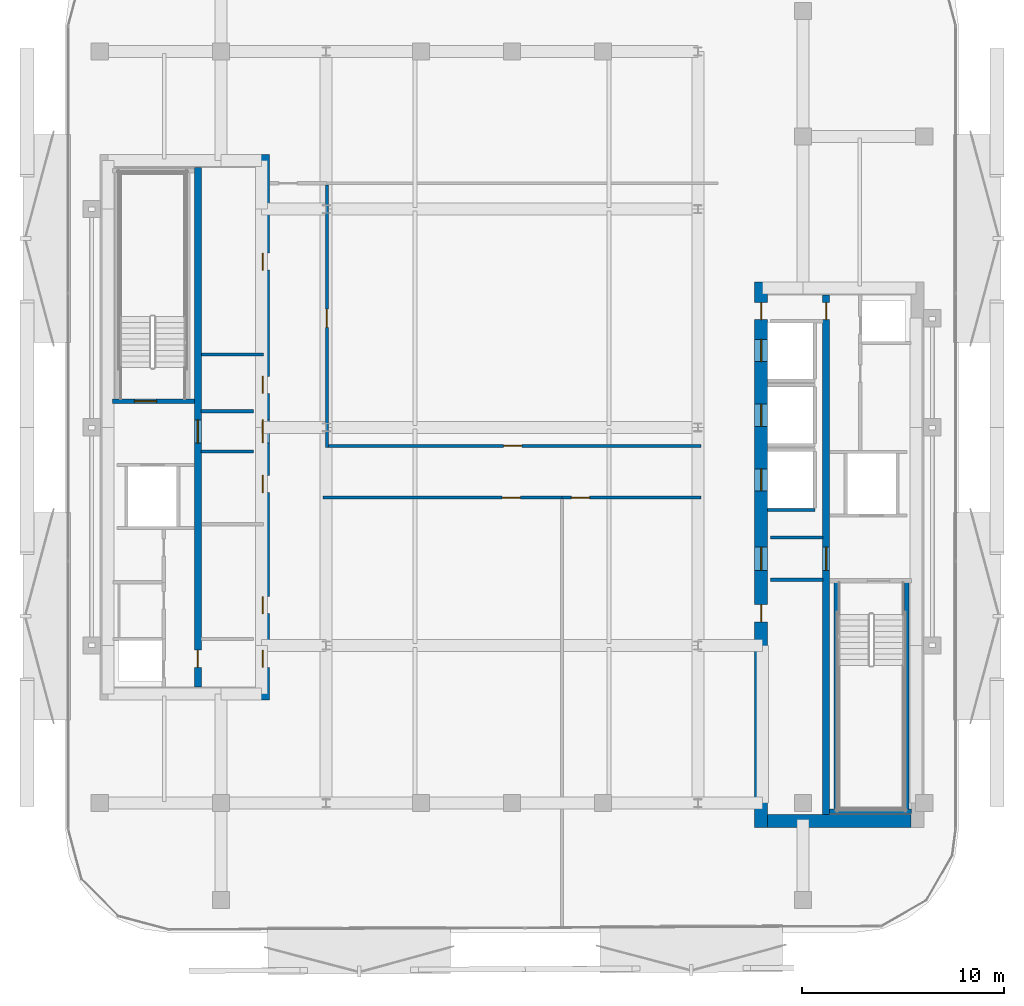
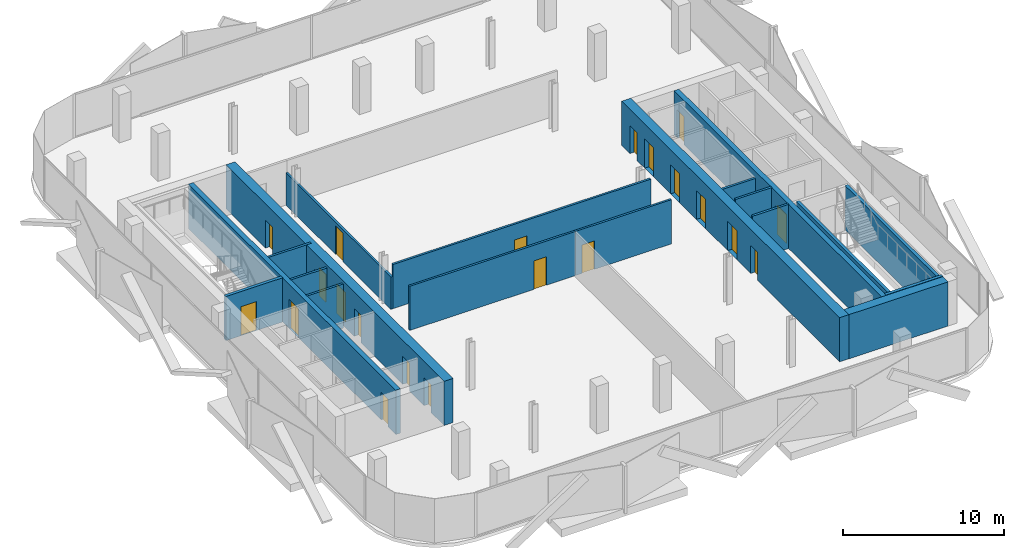
# One storey, part 3 of 11: 21 doors, 19 walls, 21 openings.
"""IFC4 building model written with IfcOpenShell, lengths in metres."""

from ifc_helpers import new_model, si_unit, direction, frame, frame_2d, origin, place, context, subcontext, project, spatial, rectangle, extrude, material, layer, layer_set, type_object, element, fill, save


model = new_model("IFC4")

# Units and contexts
model_context = context("Model", 3, precision=1e-05, world=origin(), true_north=direction((0.0, 1.0)))
body_context = subcontext(model_context, "Body", "Model", "MODEL_VIEW")
ifc_project = project(units=[si_unit("LENGTHUNIT", "METRE"), si_unit("AREAUNIT", "SQUARE_METRE"), si_unit("VOLUMEUNIT", "CUBIC_METRE"), si_unit("PLANEANGLEUNIT", "RADIAN"), si_unit("MASSUNIT", "GRAM", prefix="KILO")], contexts=[model_context])

# Site, building, storey
site_placement = place(None, origin())
site = spatial("IfcSite", under=ifc_project, at=site_placement, CompositionType="ELEMENT")
building_placement = place(site_placement, origin())
building = spatial("IfcBuilding", under=site, at=building_placement, Name="Khairoan Windgate Tower", CompositionType="ELEMENT")
storey_placement = place(building_placement, frame((0.0, 0.0, 222.39990234375)))
storey = spatial("IfcBuildingStorey", under=building, at=storey_placement, Name="L51", CompositionType="ELEMENT", Elevation=222.39990234375)

# Walls
ifc_material_1 = material(Name="Concrete C40/50", Category="concrete")
ifc_layer_1 = layer(ifc_material_1, 0.159912109375, Name="Concrete C40/50")
ifc_layer_set_1 = layer_set([ifc_layer_1], Name="Concrete C40/50")
wall_type_1 = type_object("IfcWallType", Name="Core and Hoistway Enclosure Wall", PredefinedType="STANDARD", material=ifc_layer_set_1)
wall_1_placement = place(storey_placement, frame((12.64990234375, -4.090087890625, 0.0), z_axis=(0.0, 0.0, 1.0), x_axis=(1.0, 0.0, 0.0)))
element("IfcWall", 1, at=wall_1_placement, inside=storey, type_object=wall_type_1, Name="L51 Lift PL9 Hoistway Divider S", PredefinedType="STANDARD", context=body_context, shape_type="SweptSolid", body=[
    extrude(rectangle(XDim=2.340087890625, YDim=0.159912109375, at=frame_2d((1.169921875, 0.0))), origin(), (0.0, 0.0, 1.0), 3.340087890625),
])
for number, where, z_axis, x_axis, name in (
    (2, (-15.39990234375, 0.800048828125, 0.0), (0.0, 0.0, 1.0), (1.0, 0.0, 0.0), "L51 Core Shaft Wall SW-WV1-L51"),
    (3, (-15.39990234375, -1.199951171875, 0.0), (0.0, 0.0, 1.0), (1.0, 0.0, 0.0), "L51 Core Shaft Wall SW-WV2-L51"),
    (4, (12.800048828125, -5.449951171875, 0.0), (0.0, 0.0, 1.0), (1.0, 0.0, 0.0), "L51 Core Shaft Wall SW-EV1-L51"),
    (5, (12.800048828125, -7.5400390625, 0.0), (0.0, 0.0, 1.0), (1.0, 0.0, 0.0), "L51 Core Shaft Wall SW-EV2-L51"),
):
    element("IfcWall", number, at=place(storey_placement, frame(where, z_axis=z_axis, x_axis=x_axis)), inside=storey, type_object=wall_type_1, Name=name, PredefinedType="STANDARD", context=body_context, shape_type="SweptSolid", body=[
        extrude(rectangle(XDim=2.599853515625, YDim=0.159912109375, at=frame_2d((1.2998046875, 0.0))), origin(), (0.0, 0.0, 1.0), 3.340087890625),
    ])
ifc_material_2 = material(Name="Concrete C40/50", Category="concrete")
ifc_layer_2 = layer(ifc_material_2, 0.159912109375, Name="Concrete C40/50")
ifc_layer_set_2 = layer_set([ifc_layer_2], Name="Concrete C40/50")
wall_type_2 = type_object("IfcWallType", Name="Plant and Refuge Compartment Wall", PredefinedType="PARTITIONING", material=ifc_layer_set_2)
wall_2_placement = place(storey_placement, frame((-15.375, 3.60009765625, 0.0), z_axis=(0.0, 0.0, 1.0), x_axis=(1.0, 0.0, 0.0)))
element("IfcWall", 6, at=wall_2_placement, inside=storey, type_object=wall_type_2, Name="L51 Interior Partition 006", PredefinedType="PARTITIONING", context=body_context, shape_type="SweptSolid", body=[
    extrude(rectangle(XDim=3.06494140625, YDim=0.159912109375, at=frame_2d((1.532470703125, 0.0))), origin(), (0.0, 0.0, 1.0), 3.340087890625),
])

# Wall, opening, door
ifc_material_3 = material(Name="Acoustic Fire-Rated Gypsum Partition", Category="gypsum")
ifc_layer_3 = layer(ifc_material_3, 0.14990234375, Name="Acoustic Fire-Rated Gypsum Partition")
ifc_layer_set_3 = layer_set([ifc_layer_3], Name="Acoustic Fire-Rated Gypsum Partition")
wall_type_3 = type_object("IfcWallType", Name="Rated Corridor Partition Wall", PredefinedType="PARTITIONING", material=ifc_layer_set_3)
wall_3_placement = place(storey_placement, frame((-9.159912109375, -0.9951171875, 0.0), z_axis=(0.0, 0.0, 1.0), x_axis=(0.0, 1.0, 0.0)))
wall_3 = element("IfcWall", 7, at=wall_3_placement, inside=storey, type_object=wall_type_3, Name="L51 Interior Partition 011", PredefinedType="PARTITIONING", context=body_context, shape_type="SweptSolid", body=[
    extrude(rectangle(XDim=13.0, YDim=0.14990234375, at=frame_2d((6.5, 0.0))), origin(), (0.0, 0.0, 1.0), 2.440185546875),
])
opening_1_placement = place(wall_3_placement, frame((5.948486328125, 0.0, 0.0)))
opening_1 = element("IfcOpeningElement", 8, at=opening_1_placement, cuts=wall_3, Name="Opening FD-ENT", PredefinedType="OPENING", context=body_context, shape_type="SweptSolid", body=[
    extrude(rectangle(XDim=0.89990234375, YDim=2.14990234375, at=frame_2d((0.449951171875, 1.074951171875))), frame((0.0, 0.0849609375, 0.0), z_axis=(0.0, -1.0, 0.0), x_axis=(1.0, 0.0, 0.0)), (0.0, 0.0, 1.0), 0.169921875),
])
ifc_material_4 = material(Name="Timber Fire-Rated Core", Category="wood")
door_type_1 = type_object("IfcDoorType", Name="Unit and Office Fire Entrance Door FD-ENT 900x2150", OperationType="NOTDEFINED", PredefinedType="DOOR", material=ifc_material_4)
door_1_placement = place(opening_1_placement, origin())
door_1 = element("IfcDoor", 9, at=door_1_placement, inside=storey, type_object=door_type_1, Name="L51 L51-26-L51-29 Door", OperationType="SINGLE_SWING_LEFT", OverallHeight=2.14990234375, OverallWidth=0.89990234375, PredefinedType="DOOR", context=body_context, shape_type="SweptSolid", body=[
    extrude(rectangle(XDim=0.89990234375, YDim=2.14990234375, at=frame_2d((0.449951171875, 1.074951171875))), frame((0.0, 0.02490234375, 0.0), z_axis=(0.0, -1.0, 0.0), x_axis=(1.0, 0.0, 0.0)), (0.0, 0.0, 1.0), 0.050048828125),
])
fill(opening_1, door_1)

wall_4_placement = place(storey_placement, frame((-9.0849609375, -0.919921875, 0.0), z_axis=(0.0, 0.0, 1.0), x_axis=(1.0, 0.0, 0.0)))
wall_4 = element("IfcWall", 10, at=wall_4_placement, inside=storey, type_object=wall_type_3, Name="L51 Interior Partition 013", PredefinedType="PARTITIONING", context=body_context, shape_type="SweptSolid", body=[
    extrude(rectangle(XDim=18.445068359375, YDim=0.14990234375, at=frame_2d((9.22265625, 0.0))), origin(), (0.0, 0.0, 1.0), 3.340087890625),
])
opening_2_placement = place(wall_4_placement, frame((8.67236328125, 0.0, 0.0)))
opening_2 = element("IfcOpeningElement", 11, at=opening_2_placement, cuts=wall_4, Name="Opening FD-ENT", PredefinedType="OPENING", context=body_context, shape_type="SweptSolid", body=[
    extrude(rectangle(XDim=0.89990234375, YDim=2.14990234375, at=frame_2d((0.449951171875, 1.074951171875))), frame((0.0, 0.0849609375, 0.0), z_axis=(0.0, -1.0, 0.0), x_axis=(1.0, 0.0, 0.0)), (0.0, 0.0, 1.0), 0.169921875),
])
door_2_placement = place(opening_2_placement, origin())
door_2 = element("IfcDoor", 12, at=door_2_placement, inside=storey, type_object=door_type_1, Name="L51 L51-28-L51-29 Door", OperationType="SINGLE_SWING_LEFT", OverallHeight=2.14990234375, OverallWidth=0.89990234375, PredefinedType="DOOR", context=body_context, shape_type="SweptSolid", body=[
    extrude(rectangle(XDim=0.89990234375, YDim=2.14990234375, at=frame_2d((0.449951171875, 1.074951171875))), frame((0.0, 0.02490234375, 0.0), z_axis=(0.0, -1.0, 0.0), x_axis=(1.0, 0.0, 0.0)), (0.0, 0.0, 1.0), 0.050048828125),
])
fill(opening_2, door_2)

wall_5_placement = place(storey_placement, frame((-9.360107421875, -3.47998046875, 0.0), z_axis=(0.0, 0.0, 1.0), x_axis=(1.0, 0.0, 0.0)))
wall_5 = element("IfcWall", 13, at=wall_5_placement, inside=storey, type_object=wall_type_3, Name="L51 Interior Partition 014", PredefinedType="PARTITIONING", context=body_context, shape_type="SweptSolid", body=[
    extrude(rectangle(XDim=11.840087890625, YDim=0.14990234375, at=frame_2d((5.919921875, 0.0))), origin(), (0.0, 0.0, 1.0), 3.340087890625),
])
opening_3_placement = place(wall_5_placement, frame((8.876708984375, 0.0, 0.0)))
opening_3 = element("IfcOpeningElement", 14, at=opening_3_placement, cuts=wall_5, Name="Opening FD-ENT", PredefinedType="OPENING", context=body_context, shape_type="SweptSolid", body=[
    extrude(rectangle(XDim=0.89990234375, YDim=2.14990234375, at=frame_2d((0.449951171875, 1.074951171875))), frame((0.0, 0.0849609375, 0.0), z_axis=(0.0, -1.0, 0.0), x_axis=(1.0, 0.0, 0.0)), (0.0, 0.0, 1.0), 0.169921875),
])
door_3_placement = place(opening_3_placement, origin())
door_3 = element("IfcDoor", 15, at=door_3_placement, inside=storey, type_object=door_type_1, Name="L51 L51-28-L51-31 Door", OperationType="SINGLE_SWING_RIGHT", OverallHeight=2.14990234375, OverallWidth=0.89990234375, PredefinedType="DOOR", context=body_context, shape_type="SweptSolid", body=[
    extrude(rectangle(XDim=0.89990234375, YDim=2.14990234375, at=frame_2d((0.449951171875, 1.074951171875))), frame((0.0, 0.02490234375, 0.0), z_axis=(0.0, -1.0, 0.0), x_axis=(1.0, 0.0, 0.0)), (0.0, 0.0, 1.0), 0.050048828125),
])
fill(opening_3, door_3)

wall_6_placement = place(storey_placement, frame((2.47998046875, -3.47998046875, 0.0), z_axis=(0.0, 0.0, 1.0), x_axis=(1.0, 0.0, 0.0)))
wall_6 = element("IfcWall", 16, at=wall_6_placement, inside=storey, type_object=wall_type_3, Name="L51 Interior Partition 015", PredefinedType="PARTITIONING", context=body_context, shape_type="SweptSolid", body=[
    extrude(rectangle(XDim=6.880126953125, YDim=0.14990234375, at=frame_2d((3.43994140625, 0.0))), origin(), (0.0, 0.0, 1.0), 3.340087890625),
])
opening_4_placement = place(wall_6_placement, frame((0.4599609375, 0.0, 0.0)))
opening_4 = element("IfcOpeningElement", 17, at=opening_4_placement, cuts=wall_6, Name="Opening FD-ENT", PredefinedType="OPENING", context=body_context, shape_type="SweptSolid", body=[
    extrude(rectangle(XDim=0.89990234375, YDim=2.14990234375, at=frame_2d((0.449951171875, 1.074951171875))), frame((0.0, 0.0849609375, 0.0), z_axis=(0.0, -1.0, 0.0), x_axis=(1.0, 0.0, 0.0)), (0.0, 0.0, 1.0), 0.169921875),
])
door_4_placement = place(opening_4_placement, origin())
door_4 = element("IfcDoor", 18, at=door_4_placement, inside=storey, type_object=door_type_1, Name="L51 L51-28-L51-32 Door", OperationType="SINGLE_SWING_LEFT", OverallHeight=2.14990234375, OverallWidth=0.89990234375, PredefinedType="DOOR", context=body_context, shape_type="SweptSolid", body=[
    extrude(rectangle(XDim=0.89990234375, YDim=2.14990234375, at=frame_2d((0.449951171875, 1.074951171875))), frame((0.0, 0.02490234375, 0.0), z_axis=(0.0, -1.0, 0.0), x_axis=(1.0, 0.0, 0.0)), (0.0, 0.0, 1.0), 0.050048828125),
])
fill(opening_4, door_4)

# Wall, openings, doors
ifc_material_5 = material(Name="Concrete C60/75", Category="concrete")
ifc_layer_4 = layer(ifc_material_5, 0.64990234375, Name="Concrete C60/75")
ifc_layer_set_4 = layer_set([ifc_layer_4], Name="Concrete C60/75")
wall_type_4 = type_object("IfcWallType", Name="Shear Wall CW-E2 650mm", PredefinedType="SHEAR", material=ifc_layer_set_4)
wall_7_placement = place(storey_placement, frame((12.324951171875, -19.800048828125, 0.0), z_axis=(0.0, 0.0, 1.0), x_axis=(0.0, 1.0, 0.0)))
wall_7 = element("IfcWall", 19, at=wall_7_placement, inside=storey, type_object=wall_type_4, Name="E Core West Shear Wall L51", PredefinedType="SHEAR", context=body_context, shape_type="SweptSolid", body=[
    extrude(rectangle(XDim=27.0, YDim=0.64990234375, at=frame_2d((13.5, 0.0))), origin(), (0.0, 0.0, 1.0), 3.340087890625),
])
opening_5_placement = place(wall_7_placement, frame((23.050048828125, 0.0, 0.0)))
opening_5 = element("IfcOpeningElement", 20, at=opening_5_placement, cuts=wall_7, Name="Opening LD-PL", PredefinedType="OPENING", context=body_context, shape_type="SweptSolid", body=[
    extrude(rectangle(XDim=1.10009765625, YDim=2.199951171875, at=frame_2d((0.550048828125, 1.10009765625))), frame((0.0, 0.3349609375, 0.0), z_axis=(0.0, -1.0, 0.0), x_axis=(1.0, 0.0, 0.0)), (0.0, 0.0, 1.0), 0.669921875),
])
opening_6_placement = place(wall_7_placement, frame((19.85009765625, 0.0, 0.0)))
opening_6 = element("IfcOpeningElement", 21, at=opening_6_placement, cuts=wall_7, Name="Opening LD-PL", PredefinedType="OPENING", context=body_context, shape_type="SweptSolid", body=[
    extrude(rectangle(XDim=1.10009765625, YDim=2.199951171875, at=frame_2d((0.550048828125, 1.10009765625))), frame((0.0, 0.3349609375, 0.0), z_axis=(0.0, -1.0, 0.0), x_axis=(1.0, 0.0, 0.0)), (0.0, 0.0, 1.0), 0.669921875),
])
opening_7_placement = place(wall_7_placement, frame((16.64990234375, 0.0, 0.0)))
opening_7 = element("IfcOpeningElement", 22, at=opening_7_placement, cuts=wall_7, Name="Opening LD-PL", PredefinedType="OPENING", context=body_context, shape_type="SweptSolid", body=[
    extrude(rectangle(XDim=1.10009765625, YDim=2.199951171875, at=frame_2d((0.550048828125, 1.10009765625))), frame((0.0, 0.3349609375, 0.0), z_axis=(0.0, -1.0, 0.0), x_axis=(1.0, 0.0, 0.0)), (0.0, 0.0, 1.0), 0.669921875),
])
opening_8_placement = place(wall_7_placement, frame((10.175048828125, 0.0, 0.0)))
opening_8 = element("IfcOpeningElement", 23, at=opening_8_placement, cuts=wall_7, Name="Opening FD-SRV", PredefinedType="OPENING", context=body_context, shape_type="SweptSolid", body=[
    extrude(rectangle(XDim=0.85009765625, YDim=2.10009765625, at=frame_2d((0.425048828125, 1.050048828125))), frame((0.0, 0.3349609375, 0.0), z_axis=(0.0, -1.0, 0.0), x_axis=(1.0, 0.0, 0.0)), (0.0, 0.0, 1.0), 0.669921875),
])
opening_9_placement = place(wall_7_placement, frame((12.72509765625, 0.0, 0.0)))
opening_9 = element("IfcOpeningElement", 24, at=opening_9_placement, cuts=wall_7, Name="Opening FD-FFL", PredefinedType="OPENING", context=body_context, shape_type="SweptSolid", body=[
    extrude(rectangle(XDim=1.14990234375, YDim=2.199951171875, at=frame_2d((0.574951171875, 1.10009765625))), frame((0.0, 0.3349609375, 0.0), z_axis=(0.0, -1.0, 0.0), x_axis=(1.0, 0.0, 0.0)), (0.0, 0.0, 1.0), 0.669921875),
])
opening_10_placement = place(wall_7_placement, frame((25.125, 0.0, 0.0)))
opening_10 = element("IfcOpeningElement", 25, at=opening_10_placement, cuts=wall_7, Name="Opening FD-SRV", PredefinedType="OPENING", context=body_context, shape_type="SweptSolid", body=[
    extrude(rectangle(XDim=0.85009765625, YDim=2.10009765625, at=frame_2d((0.425048828125, 1.050048828125))), frame((0.0, 0.3349609375, 0.0), z_axis=(0.0, -1.0, 0.0), x_axis=(1.0, 0.0, 0.0)), (0.0, 0.0, 1.0), 0.669921875),
])
ifc_material_6 = material(Name="Steel S355", Category="steel")
door_type_2 = type_object("IfcDoorType", Name="Core Service and Riser Fire Door FD-SRV 850x2100", OperationType="NOTDEFINED", PredefinedType="DOOR", material=ifc_material_6)
door_5_placement = place(opening_8_placement, origin())
door_5 = element("IfcDoor", 26, at=door_5_placement, inside=storey, type_object=door_type_2, Name="L51 East Core Service Room Door 1", OperationType="SINGLE_SWING_LEFT", OverallHeight=2.10009765625, OverallWidth=0.85009765625, PredefinedType="DOOR", context=body_context, shape_type="SweptSolid", body=[
    extrude(rectangle(XDim=0.85009765625, YDim=2.10009765625, at=frame_2d((0.425048828125, 1.050048828125))), frame((0.0, 0.02490234375, 0.0), z_axis=(0.0, -1.0, 0.0), x_axis=(1.0, 0.0, 0.0)), (0.0, 0.0, 1.0), 0.050048828125),
])
fill(opening_8, door_5)
door_6_placement = place(opening_10_placement, origin())
door_6 = element("IfcDoor", 27, at=door_6_placement, inside=storey, type_object=door_type_2, Name="L51 East Core Service Vestibule Outer Door", OperationType="SINGLE_SWING_RIGHT", OverallHeight=2.10009765625, OverallWidth=0.85009765625, PredefinedType="DOOR", context=body_context, shape_type="SweptSolid", body=[
    extrude(rectangle(XDim=0.85009765625, YDim=2.10009765625, at=frame_2d((0.425048828125, 1.050048828125))), frame((0.0, 0.02490234375, 0.0), z_axis=(0.0, -1.0, 0.0), x_axis=(1.0, 0.0, 0.0)), (0.0, 0.0, 1.0), 0.050048828125),
])
fill(opening_10, door_6)
ifc_material_7 = material(Name="Steel S355", Category="steel")
door_type_3 = type_object("IfcDoorType", Name="Firefighting Lobby Fire Door FD-FFL 1150x2200", OperationType="NOTDEFINED", PredefinedType="DOOR", material=ifc_material_7)
door_7_placement = place(opening_9_placement, origin())
door_7 = element("IfcDoor", 28, at=door_7_placement, inside=storey, type_object=door_type_3, Name="L51 East Core Vestibule Entry Door", OperationType="SINGLE_SWING_RIGHT", OverallHeight=2.199951171875, OverallWidth=1.14990234375, PredefinedType="DOOR", context=body_context, shape_type="SweptSolid", body=[
    extrude(rectangle(XDim=1.14990234375, YDim=2.199951171875, at=frame_2d((0.574951171875, 1.10009765625))), frame((0.0, 0.02490234375, 0.0), z_axis=(0.0, -1.0, 0.0), x_axis=(1.0, 0.0, 0.0)), (0.0, 0.0, 1.0), 0.050048828125),
])
fill(opening_9, door_7)
ifc_material_8 = material(Name="Anodised Bronze Aluminium 6063-T6", Category="aluminium")
door_type_4 = type_object("IfcDoorType", Name="Passenger Lift Sliding Landing Door LD-PL 1100x2200", OperationType="DOUBLE_DOOR_SLIDING", PredefinedType="DOOR", material=ifc_material_8)
door_8_placement = place(opening_5_placement, origin())
door_8 = element("IfcDoor", 29, at=door_8_placement, inside=storey, type_object=door_type_4, Name="L51 Lift PL7 Sliding Landing Door", OperationType="DOUBLE_DOOR_SLIDING", OverallHeight=2.199951171875, OverallWidth=1.10009765625, PredefinedType="DOOR", context=body_context, shape_type="SweptSolid", body=[
    extrude(rectangle(XDim=1.10009765625, YDim=2.199951171875, at=frame_2d((0.550048828125, 1.10009765625))), frame((0.0, 0.02490234375, 0.0), z_axis=(0.0, -1.0, 0.0), x_axis=(1.0, 0.0, 0.0)), (0.0, 0.0, 1.0), 0.050048828125),
])
fill(opening_5, door_8)
door_9_placement = place(opening_6_placement, origin())
door_9 = element("IfcDoor", 30, at=door_9_placement, inside=storey, type_object=door_type_4, Name="L51 Lift PL8 Sliding Landing Door", OperationType="DOUBLE_DOOR_SLIDING", OverallHeight=2.199951171875, OverallWidth=1.10009765625, PredefinedType="DOOR", context=body_context, shape_type="SweptSolid", body=[
    extrude(rectangle(XDim=1.10009765625, YDim=2.199951171875, at=frame_2d((0.550048828125, 1.10009765625))), frame((0.0, 0.02490234375, 0.0), z_axis=(0.0, -1.0, 0.0), x_axis=(1.0, 0.0, 0.0)), (0.0, 0.0, 1.0), 0.050048828125),
])
fill(opening_6, door_9)
door_10_placement = place(opening_7_placement, origin())
door_10 = element("IfcDoor", 31, at=door_10_placement, inside=storey, type_object=door_type_4, Name="L51 Lift PL9 Sliding Landing Door", OperationType="DOUBLE_DOOR_SLIDING", OverallHeight=2.199951171875, OverallWidth=1.10009765625, PredefinedType="DOOR", context=body_context, shape_type="SweptSolid", body=[
    extrude(rectangle(XDim=1.10009765625, YDim=2.199951171875, at=frame_2d((0.550048828125, 1.10009765625))), frame((0.0, 0.02490234375, 0.0), z_axis=(0.0, -1.0, 0.0), x_axis=(1.0, 0.0, 0.0)), (0.0, 0.0, 1.0), 0.050048828125),
])
fill(opening_7, door_10)

# Wall
wall_8_placement = place(storey_placement, frame((12.64990234375, -19.47509765625, 0.0), z_axis=(0.0, 0.0, 1.0), x_axis=(1.0, 0.0, 0.0)))
element("IfcWall", 32, at=wall_8_placement, inside=storey, type_object=wall_type_4, Name="E Core South Shear Wall L51", PredefinedType="SHEAR", context=body_context, shape_type="SweptSolid", body=[
    extrude(rectangle(XDim=7.10009765625, YDim=0.64990234375, at=frame_2d((3.550048828125, 0.0))), origin(), (0.0, 0.0, 1.0), 3.340087890625),
])

# Wall, openings, doors
ifc_material_9 = material(Name="Concrete C60/75", Category="concrete")
ifc_layer_5 = layer(ifc_material_9, 0.64990234375, Name="Concrete C60/75")
ifc_layer_set_5 = layer_set([ifc_layer_5], Name="Concrete C60/75")
wall_type_5 = type_object("IfcWallType", Name="Shear Wall CW-W2 650mm", PredefinedType="SHEAR", material=ifc_layer_set_5)
wall_9_placement = place(storey_placement, frame((-12.324951171875, -13.5, 0.0), z_axis=(0.0, 0.0, 1.0), x_axis=(0.0, 1.0, 0.0)))
wall_9 = element("IfcWall", 33, at=wall_9_placement, inside=storey, type_object=wall_type_5, Name="W Core East Shear Wall L51", PredefinedType="SHEAR", context=body_context, shape_type="SweptSolid", body=[
    extrude(rectangle(XDim=27.0, YDim=0.64990234375, at=frame_2d((13.5, 0.0))), origin(), (0.0, 0.0, 1.0), 3.340087890625),
])
opening_11_placement = place(wall_9_placement, frame((15.175048828125, 0.0, 0.0)))
opening_11 = element("IfcOpeningElement", 34, at=opening_11_placement, cuts=wall_9, Name="Opening FD-SRV", PredefinedType="OPENING", context=body_context, shape_type="SweptSolid", body=[
    extrude(rectangle(XDim=0.85009765625, YDim=2.10009765625, at=frame_2d((0.425048828125, 1.050048828125))), frame((0.0, 0.3349609375, 0.0), z_axis=(0.0, -1.0, 0.0), x_axis=(1.0, 0.0, 0.0)), (0.0, 0.0, 1.0), 0.669921875),
])
opening_12_placement = place(wall_9_placement, frame((21.27490234375, 0.0, 0.0)))
opening_12 = element("IfcOpeningElement", 35, at=opening_12_placement, cuts=wall_9, Name="Opening FD-SRV", PredefinedType="OPENING", context=body_context, shape_type="SweptSolid", body=[
    extrude(rectangle(XDim=0.85009765625, YDim=2.10009765625, at=frame_2d((0.425048828125, 1.050048828125))), frame((0.0, 0.3349609375, 0.0), z_axis=(0.0, -1.0, 0.0), x_axis=(1.0, 0.0, 0.0)), (0.0, 0.0, 1.0), 0.669921875),
])
opening_13_placement = place(wall_9_placement, frame((4.27490234375, 0.0, 0.0)))
opening_13 = element("IfcOpeningElement", 36, at=opening_13_placement, cuts=wall_9, Name="Opening FD-SRV", PredefinedType="OPENING", context=body_context, shape_type="SweptSolid", body=[
    extrude(rectangle(XDim=0.85009765625, YDim=2.10009765625, at=frame_2d((0.425048828125, 1.050048828125))), frame((0.0, 0.3349609375, 0.0), z_axis=(0.0, -1.0, 0.0), x_axis=(1.0, 0.0, 0.0)), (0.0, 0.0, 1.0), 0.669921875),
])
opening_14_placement = place(wall_9_placement, frame((10.27490234375, 0.0, 0.0)))
opening_14 = element("IfcOpeningElement", 37, at=opening_14_placement, cuts=wall_9, Name="Opening FD-SRV", PredefinedType="OPENING", context=body_context, shape_type="SweptSolid", body=[
    extrude(rectangle(XDim=0.85009765625, YDim=2.10009765625, at=frame_2d((0.425048828125, 1.050048828125))), frame((0.0, 0.3349609375, 0.0), z_axis=(0.0, -1.0, 0.0), x_axis=(1.0, 0.0, 0.0)), (0.0, 0.0, 1.0), 0.669921875),
])
opening_15_placement = place(wall_9_placement, frame((12.72509765625, 0.0, 0.0)))
opening_15 = element("IfcOpeningElement", 38, at=opening_15_placement, cuts=wall_9, Name="Opening FD-FFL", PredefinedType="OPENING", context=body_context, shape_type="SweptSolid", body=[
    extrude(rectangle(XDim=1.14990234375, YDim=2.199951171875, at=frame_2d((0.574951171875, 1.10009765625))), frame((0.0, 0.3349609375, 0.0), z_axis=(0.0, -1.0, 0.0), x_axis=(1.0, 0.0, 0.0)), (0.0, 0.0, 1.0), 0.669921875),
])
opening_16_placement = place(wall_9_placement, frame((1.625, 0.0, 0.0)))
opening_16 = element("IfcOpeningElement", 39, at=opening_16_placement, cuts=wall_9, Name="Opening FD-SRV", PredefinedType="OPENING", context=body_context, shape_type="SweptSolid", body=[
    extrude(rectangle(XDim=0.85009765625, YDim=2.10009765625, at=frame_2d((0.425048828125, 1.050048828125))), frame((0.0, 0.3349609375, 0.0), z_axis=(0.0, -1.0, 0.0), x_axis=(1.0, 0.0, 0.0)), (0.0, 0.0, 1.0), 0.669921875),
])
door_11_placement = place(opening_11_placement, origin())
door_11 = element("IfcDoor", 40, at=door_11_placement, inside=storey, type_object=door_type_2, Name="L51 Upper Core Room Door B1-1", OperationType="SINGLE_SWING_LEFT", OverallHeight=2.10009765625, OverallWidth=0.85009765625, PredefinedType="DOOR", context=body_context, shape_type="SweptSolid", body=[
    extrude(rectangle(XDim=0.85009765625, YDim=2.10009765625, at=frame_2d((0.425048828125, 1.050048828125))), frame((0.0, 0.02490234375, 0.0), z_axis=(0.0, -1.0, 0.0), x_axis=(1.0, 0.0, 0.0)), (0.0, 0.0, 1.0), 0.050048828125),
])
fill(opening_11, door_11)
door_12_placement = place(opening_12_placement, origin())
door_12 = element("IfcDoor", 41, at=door_12_placement, inside=storey, type_object=door_type_2, Name="L51 Upper Core Room Door B1-2", OperationType="SINGLE_SWING_RIGHT", OverallHeight=2.10009765625, OverallWidth=0.85009765625, PredefinedType="DOOR", context=body_context, shape_type="SweptSolid", body=[
    extrude(rectangle(XDim=0.85009765625, YDim=2.10009765625, at=frame_2d((0.425048828125, 1.050048828125))), frame((0.0, 0.02490234375, 0.0), z_axis=(0.0, -1.0, 0.0), x_axis=(1.0, 0.0, 0.0)), (0.0, 0.0, 1.0), 0.050048828125),
])
fill(opening_12, door_12)
door_13_placement = place(opening_13_placement, origin())
door_13 = element("IfcDoor", 42, at=door_13_placement, inside=storey, type_object=door_type_2, Name="L51 Upper Core Room Door B2-1", OperationType="SINGLE_SWING_LEFT", OverallHeight=2.10009765625, OverallWidth=0.85009765625, PredefinedType="DOOR", context=body_context, shape_type="SweptSolid", body=[
    extrude(rectangle(XDim=0.85009765625, YDim=2.10009765625, at=frame_2d((0.425048828125, 1.050048828125))), frame((0.0, 0.02490234375, 0.0), z_axis=(0.0, -1.0, 0.0), x_axis=(1.0, 0.0, 0.0)), (0.0, 0.0, 1.0), 0.050048828125),
])
fill(opening_13, door_13)
door_14_placement = place(opening_14_placement, origin())
door_14 = element("IfcDoor", 43, at=door_14_placement, inside=storey, type_object=door_type_2, Name="L51 Upper Core Room Door B2-2", OperationType="SINGLE_SWING_RIGHT", OverallHeight=2.10009765625, OverallWidth=0.85009765625, PredefinedType="DOOR", context=body_context, shape_type="SweptSolid", body=[
    extrude(rectangle(XDim=0.85009765625, YDim=2.10009765625, at=frame_2d((0.425048828125, 1.050048828125))), frame((0.0, 0.02490234375, 0.0), z_axis=(0.0, -1.0, 0.0), x_axis=(1.0, 0.0, 0.0)), (0.0, 0.0, 1.0), 0.050048828125),
])
fill(opening_14, door_14)
door_15_placement = place(opening_16_placement, origin())
door_15 = element("IfcDoor", 44, at=door_15_placement, inside=storey, type_object=door_type_2, Name="L51 West Core Service Vestibule Outer Door", OperationType="SINGLE_SWING_RIGHT", OverallHeight=2.10009765625, OverallWidth=0.85009765625, PredefinedType="DOOR", context=body_context, shape_type="SweptSolid", body=[
    extrude(rectangle(XDim=0.85009765625, YDim=2.10009765625, at=frame_2d((0.425048828125, 1.050048828125))), frame((0.0, 0.02490234375, 0.0), z_axis=(0.0, -1.0, 0.0), x_axis=(1.0, 0.0, 0.0)), (0.0, 0.0, 1.0), 0.050048828125),
])
fill(opening_16, door_15)
door_16_placement = place(opening_15_placement, origin())
door_16 = element("IfcDoor", 45, at=door_16_placement, inside=storey, type_object=door_type_3, Name="L51 West Core Vestibule Entry Door", OperationType="SINGLE_SWING_RIGHT", OverallHeight=2.199951171875, OverallWidth=1.14990234375, PredefinedType="DOOR", context=body_context, shape_type="SweptSolid", body=[
    extrude(rectangle(XDim=1.14990234375, YDim=2.199951171875, at=frame_2d((0.574951171875, 1.10009765625))), frame((0.0, 0.02490234375, 0.0), z_axis=(0.0, -1.0, 0.0), x_axis=(1.0, 0.0, 0.0)), (0.0, 0.0, 1.0), 0.050048828125),
])
fill(opening_15, door_16)

ifc_material_10 = material(Name="Concrete C60/75", Category="concrete")
ifc_layer_6 = layer(ifc_material_10, 0.35009765625, Name="Concrete C60/75")
ifc_layer_set_6 = layer_set([ifc_layer_6], Name="Concrete C60/75")
wall_type_6 = type_object("IfcWallType", Name="Shear Wall SW-1 350mm", PredefinedType="SHEAR", material=ifc_layer_set_6)
wall_10_placement = place(storey_placement, frame((-15.550048828125, -12.85009765625, 0.0), z_axis=(0.0, 0.0, 1.0), x_axis=(0.0, 1.0, 0.0)))
wall_10 = element("IfcWall", 46, at=wall_10_placement, inside=storey, type_object=wall_type_6, Name="W Core Spine Shear Wall L51", PredefinedType="SHEAR", context=body_context, shape_type="SweptSolid", body=[
    extrude(rectangle(XDim=25.7001953125, YDim=0.35009765625, at=frame_2d((12.85009765625, 0.0))), origin(), (0.0, 0.0, 1.0), 3.340087890625),
])
opening_17_placement = place(wall_10_placement, frame((12.074951171875, 0.0, 0.0)))
opening_17 = element("IfcOpeningElement", 47, at=opening_17_placement, cuts=wall_10, Name="Opening FD-FFL", PredefinedType="OPENING", context=body_context, shape_type="SweptSolid", body=[
    extrude(rectangle(XDim=1.14990234375, YDim=2.199951171875, at=frame_2d((0.574951171875, 1.10009765625))), frame((0.0, 0.18505859375, 0.0), z_axis=(0.0, -1.0, 0.0), x_axis=(1.0, 0.0, 0.0)), (0.0, 0.0, 1.0), 0.3701171875),
])
opening_18_placement = place(wall_10_placement, frame((0.97509765625, 0.0, 0.0)))
opening_18 = element("IfcOpeningElement", 48, at=opening_18_placement, cuts=wall_10, Name="Opening FD-SRV", PredefinedType="OPENING", context=body_context, shape_type="SweptSolid", body=[
    extrude(rectangle(XDim=0.85009765625, YDim=2.10009765625, at=frame_2d((0.425048828125, 1.050048828125))), frame((0.0, 0.18505859375, 0.0), z_axis=(0.0, -1.0, 0.0), x_axis=(1.0, 0.0, 0.0)), (0.0, 0.0, 1.0), 0.3701171875),
])
door_17_placement = place(opening_18_placement, origin())
door_17 = element("IfcDoor", 49, at=door_17_placement, inside=storey, type_object=door_type_2, Name="L51 West Core Service Passage Inner Door", OperationType="SINGLE_SWING_LEFT", OverallHeight=2.10009765625, OverallWidth=0.85009765625, PredefinedType="DOOR", context=body_context, shape_type="SweptSolid", body=[
    extrude(rectangle(XDim=0.85009765625, YDim=2.10009765625, at=frame_2d((0.425048828125, 1.050048828125))), frame((0.0, 0.02490234375, 0.0), z_axis=(0.0, -1.0, 0.0), x_axis=(1.0, 0.0, 0.0)), (0.0, 0.0, 1.0), 0.050048828125),
])
fill(opening_18, door_17)
door_18_placement = place(opening_17_placement, origin())
door_18 = element("IfcDoor", 50, at=door_18_placement, inside=storey, type_object=door_type_3, Name="L51 West Firefighting Lobby Fire Door", OperationType="SINGLE_SWING_LEFT", OverallHeight=2.199951171875, OverallWidth=1.14990234375, PredefinedType="DOOR", context=body_context, shape_type="SweptSolid", body=[
    extrude(rectangle(XDim=1.14990234375, YDim=2.199951171875, at=frame_2d((0.574951171875, 1.10009765625))), frame((0.0, 0.02490234375, 0.0), z_axis=(0.0, -1.0, 0.0), x_axis=(1.0, 0.0, 0.0)), (0.0, 0.0, 1.0), 0.050048828125),
])
fill(opening_17, door_18)

wall_11_placement = place(storey_placement, frame((15.550048828125, -19.14990234375, 0.0), z_axis=(0.0, 0.0, 1.0), x_axis=(0.0, 1.0, 0.0)))
wall_11 = element("IfcWall", 51, at=wall_11_placement, inside=storey, type_object=wall_type_6, Name="E Core Spine Shear Wall L51", PredefinedType="SHEAR", context=body_context, shape_type="SweptSolid", body=[
    extrude(rectangle(XDim=25.699951171875, YDim=0.35009765625, at=frame_2d((12.85009765625, 0.0))), origin(), (0.0, 0.0, 1.0), 3.340087890625),
])
opening_19_placement = place(wall_11_placement, frame((12.074951171875, 0.0, 0.0)))
opening_19 = element("IfcOpeningElement", 52, at=opening_19_placement, cuts=wall_11, Name="Opening FD-FFL", PredefinedType="OPENING", context=body_context, shape_type="SweptSolid", body=[
    extrude(rectangle(XDim=1.14990234375, YDim=2.199951171875, at=frame_2d((0.574951171875, 1.10009765625))), frame((0.0, 0.18505859375, 0.0), z_axis=(0.0, -1.0, 0.0), x_axis=(1.0, 0.0, 0.0)), (0.0, 0.0, 1.0), 0.3701171875),
])
opening_20_placement = place(wall_11_placement, frame((24.47509765625, 0.0, 0.0)))
opening_20 = element("IfcOpeningElement", 53, at=opening_20_placement, cuts=wall_11, Name="Opening FD-SRV", PredefinedType="OPENING", context=body_context, shape_type="SweptSolid", body=[
    extrude(rectangle(XDim=0.85009765625, YDim=2.10009765625, at=frame_2d((0.425048828125, 1.050048828125))), frame((0.0, 0.18505859375, 0.0), z_axis=(0.0, -1.0, 0.0), x_axis=(1.0, 0.0, 0.0)), (0.0, 0.0, 1.0), 0.3701171875),
])
door_19_placement = place(opening_20_placement, origin())
door_19 = element("IfcDoor", 54, at=door_19_placement, inside=storey, type_object=door_type_2, Name="L51 East Core Service Passage Inner Door", OperationType="SINGLE_SWING_LEFT", OverallHeight=2.10009765625, OverallWidth=0.85009765625, PredefinedType="DOOR", context=body_context, shape_type="SweptSolid", body=[
    extrude(rectangle(XDim=0.85009765625, YDim=2.10009765625, at=frame_2d((0.425048828125, 1.050048828125))), frame((0.0, 0.02490234375, 0.0), z_axis=(0.0, -1.0, 0.0), x_axis=(1.0, 0.0, 0.0)), (0.0, 0.0, 1.0), 0.050048828125),
])
fill(opening_20, door_19)
door_20_placement = place(opening_19_placement, origin())
door_20 = element("IfcDoor", 55, at=door_20_placement, inside=storey, type_object=door_type_3, Name="L51 East Firefighting Lobby Fire Door", OperationType="SINGLE_SWING_LEFT", OverallHeight=2.199951171875, OverallWidth=1.14990234375, PredefinedType="DOOR", context=body_context, shape_type="SweptSolid", body=[
    extrude(rectangle(XDim=1.14990234375, YDim=2.199951171875, at=frame_2d((0.574951171875, 1.10009765625))), frame((0.0, 0.02490234375, 0.0), z_axis=(0.0, -1.0, 0.0), x_axis=(1.0, 0.0, 0.0)), (0.0, 0.0, 1.0), 0.050048828125),
])
fill(opening_19, door_20)

# Walls
ifc_material_11 = material(Name="Concrete C50/60", Category="concrete")
ifc_layer_7 = layer(ifc_material_11, 0.219970703125, Name="Concrete C50/60")
ifc_layer_set_7 = layer_set([ifc_layer_7], Name="Concrete C50/60")
wall_type_7 = type_object("IfcWallType", Name="Shear Wall SW-ST 220mm", PredefinedType="SHEAR", material=ifc_layer_set_7)
for number, where, z_axis, x_axis, name in (
    (56, (16.0400390625, -19.010009765625, 0.0), (0.0, 0.0, 1.0), (0.0, 1.0, 0.0), "L51 Stair ST1 West Bearing Wall"),
    (57, (19.530029296875, -19.010009765625, 0.0), (0.0, 0.0, 1.0), (0.0, 1.0, 0.0), "L51 Stair ST1 East Bearing Wall"),
):
    element("IfcWall", number, at=place(storey_placement, frame(where, z_axis=z_axis, x_axis=x_axis)), inside=storey, type_object=wall_type_7, Name=name, PredefinedType="SHEAR", context=body_context, shape_type="SweptSolid", body=[
        extrude(rectangle(XDim=11.419921875, YDim=0.219970703125, at=frame_2d((5.7099609375, 0.0))), origin(), (0.0, 0.0, 1.0), 3.340087890625),
    ])
wall_12_placement = place(storey_placement, frame((15.705078125, -19.010009765625, 0.0), z_axis=(0.0, 0.0, 1.0), x_axis=(1.0, 0.0, 0.0)))
element("IfcWall", 58, at=wall_12_placement, inside=storey, type_object=wall_type_7, Name="L51 Stair ST1 South Bearing Wall", PredefinedType="SHEAR", context=body_context, shape_type="SweptSolid", body=[
    extrude(rectangle(XDim=4.06494140625, YDim=0.219970703125, at=frame_2d((2.032470703125, 0.0))), origin(), (0.0, 0.0, 1.0), 3.340087890625),
])

# Wall, opening, door
wall_13_placement = place(storey_placement, frame((-19.77001953125, 1.2900390625, 0.0), z_axis=(0.0, 0.0, 1.0), x_axis=(1.0, 0.0, 0.0)))
wall_13 = element("IfcWall", 59, at=wall_13_placement, inside=storey, type_object=wall_type_7, Name="L51 Stair ST2 South Bearing Wall", PredefinedType="SHEAR", context=body_context, shape_type="SweptSolid", body=[
    extrude(rectangle(XDim=4.06494140625, YDim=0.219970703125, at=frame_2d((2.032470703125, 0.0))), origin(), (0.0, 0.0, 1.0), 3.340087890625),
])
opening_21_placement = place(wall_13_placement, frame((1.080078125, 0.0, 0.0)))
opening_21 = element("IfcOpeningElement", 60, at=opening_21_placement, cuts=wall_13, Name="Opening FD-ST", PredefinedType="OPENING", context=body_context, shape_type="SweptSolid", body=[
    extrude(rectangle(XDim=1.10009765625, YDim=2.199951171875, at=frame_2d((0.550048828125, 1.10009765625))), frame((0.0, 0.119873046875, 0.0), z_axis=(0.0, -1.0, 0.0), x_axis=(1.0, 0.0, 0.0)), (0.0, 0.0, 1.0), 0.239990234375),
])
ifc_material_12 = material(Name="Steel S355", Category="steel")
door_type_5 = type_object("IfcDoorType", Name="Smokeproof Stair Fire Door FD-ST 1100x2200", OperationType="NOTDEFINED", PredefinedType="DOOR", material=ifc_material_12)
door_21_placement = place(opening_21_placement, origin())
door_21 = element("IfcDoor", 61, at=door_21_placement, inside=storey, type_object=door_type_5, Name="L51 Stair ST2 Fire Door", OperationType="SINGLE_SWING_RIGHT", OverallHeight=2.199951171875, OverallWidth=1.10009765625, PredefinedType="DOOR", context=body_context, shape_type="SweptSolid", body=[
    extrude(rectangle(XDim=1.10009765625, YDim=2.199951171875, at=frame_2d((0.550048828125, 1.10009765625))), frame((0.0, 0.02490234375, 0.0), z_axis=(0.0, -1.0, 0.0), x_axis=(1.0, 0.0, 0.0)), (0.0, 0.0, 1.0), 0.050048828125),
])
fill(opening_21, door_21)

save(model, "model.ifc")
